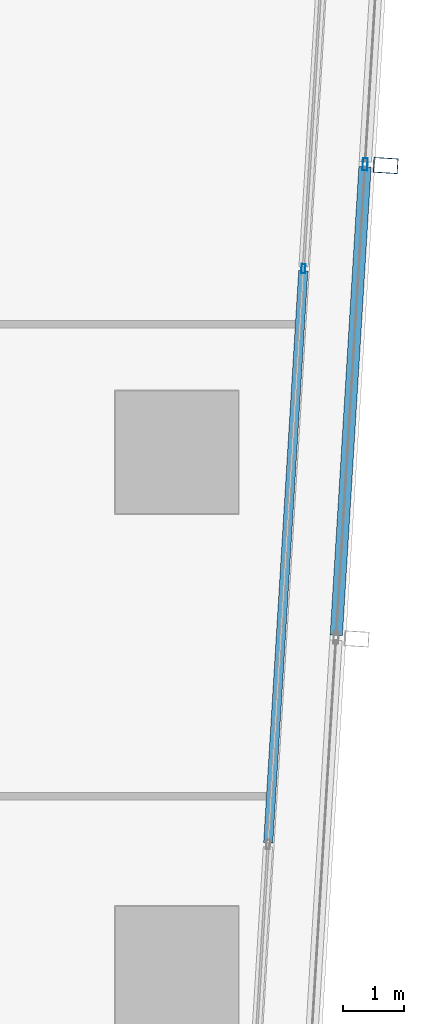
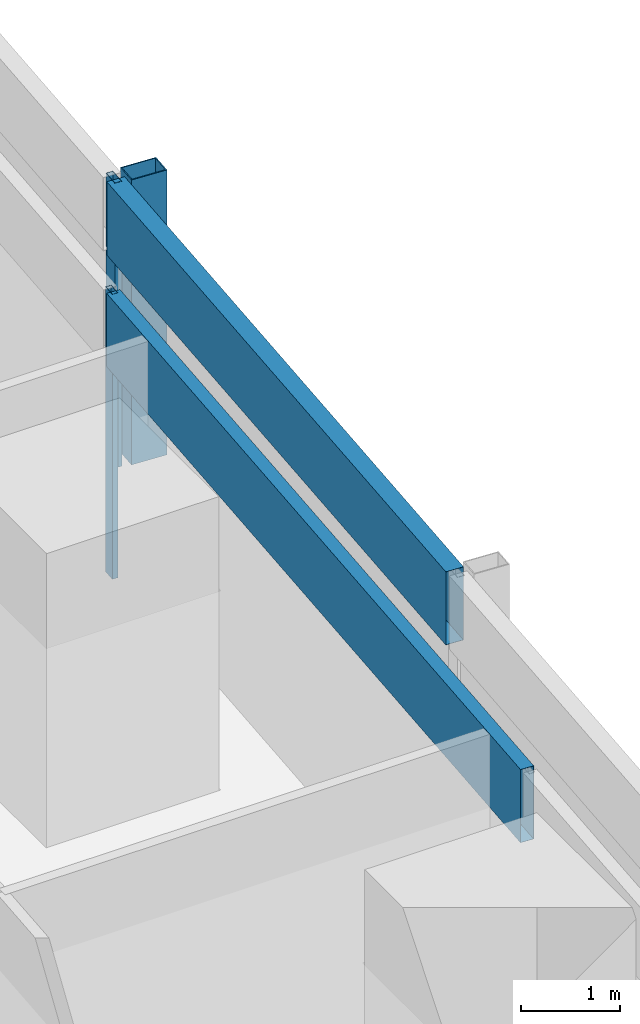
# One storey, part 24 of 39: 5 members, 2 elements without a shape of their own.
"""IFC4 building model written with IfcOpenShell, lengths in metres."""

from ifc_helpers import new_model, si_unit, direction, frame, origin, origin_2d, place, context, subcontext, project, spatial, hollow_rectangle, extrude, material, material_profile, profile_set, type_object, element, aggregate, save


model = new_model("IFC4")

# Units and contexts
model_context = context("Model", 3, precision=1e-05, world=origin(), true_north=direction((0.0, 1.0)))
body_context = subcontext(model_context, "Body", "Model", "MODEL_VIEW")
ifc_project = project(units=[si_unit("LENGTHUNIT", "METRE"), si_unit("AREAUNIT", "SQUARE_METRE"), si_unit("VOLUMEUNIT", "CUBIC_METRE"), si_unit("PLANEANGLEUNIT", "RADIAN"), si_unit("MASSUNIT", "GRAM", prefix="KILO")], contexts=[model_context])

# Site, building, storey
site_placement = place(None, origin())
site = spatial("IfcSite", under=ifc_project, at=site_placement, CompositionType="ELEMENT")
building_placement = place(site_placement, origin())
building = spatial("IfcBuilding", under=site, at=building_placement, Name="Rekha Terrace Tower", CompositionType="ELEMENT")
storey_placement = place(building_placement, frame((0.0, 0.0, 147.800048828125)))
storey = spatial("IfcBuildingStorey", under=building, at=storey_placement, Name="L37", CompositionType="ELEMENT", Elevation=147.800048828125)

# Curtain wall, member
ifc_material_1 = material(Name="Aluminium framing", Category="aluminium")
curtain_wall_type_1 = type_object("IfcCurtainWallType", Name="CW2 double skin outer glazing", PredefinedType="USERDEFINED", material=ifc_material_1)
curtain_wall_1_placement = place(storey_placement, origin())
curtain_wall_1 = element("IfcCurtainWall", 1, at=curtain_wall_1_placement, inside=storey, type_object=curtain_wall_type_1, Name="CW2 double skin outer glazing", ObjectType="DOUBLE SKIN OUTER GLAZING", PredefinedType="USERDEFINED")
ifc_material_2 = material(Name="Steel S355 with fluorocarbon finish", Category="steel")
ifc_material_profile_1 = material_profile(ifc_material_2, hollow_rectangle(XDim=0.25, YDim=0.39990234375, WallThickness=0.012451171875, at=origin_2d()), Name="RHS400x250x12.5")
ifc_profile_set_1 = profile_set([ifc_material_profile_1], Name="Steel S355 with fluorocarbon finish")
member_type_1 = type_object("IfcMemberType", Name="BL1 facade blade RHS 400 x 250", PredefinedType="USERDEFINED", material=ifc_profile_set_1)
member_1_placement = place(storey_placement, frame((70.601318359375, 38.27001953125, 0.0), z_axis=(0.0, 0.0, 1.0), x_axis=(0.061160031881, 0.998127973008, 0.0)))
member_1 = element("IfcMember", 2, at=member_1_placement, type_object=member_type_1, Name="Facade blade", ObjectType="FACADE BLADE", PredefinedType="USERDEFINED", context=body_context, shape_type="SweptSolid", body=[
    extrude(hollow_rectangle(XDim=0.25, YDim=0.39990234375, WallThickness=0.012451171875, at=origin_2d()), origin(), (0.0, 0.0, 1.0), 3.5),
])

# Curtain wall, members
curtain_wall_type_2 = type_object("IfcCurtainWallType", Name="CW1 double skin inner glazing", PredefinedType="USERDEFINED", material=ifc_material_1)
curtain_wall_2_placement = place(storey_placement, origin())
curtain_wall_2 = element("IfcCurtainWall", 3, at=curtain_wall_2_placement, inside=storey, type_object=curtain_wall_type_2, Name="CW1 double skin inner glazing", ObjectType="DOUBLE SKIN INNER GLAZING", PredefinedType="USERDEFINED")
ifc_material_3 = material(Name="Aluminium mullion section", Category="aluminium")
ifc_material_profile_2 = material_profile(ifc_material_3, hollow_rectangle(XDim=0.06494140625, YDim=0.14990234375, WallThickness=0.00390625, at=origin_2d()), Name="AL RHS 65x150")
ifc_profile_set_2 = profile_set([ifc_material_profile_2], Name="Aluminium mullion section")
member_type_2 = type_object("IfcMemberType", Name="CW1 mullion RHS 65 x 150", PredefinedType="MULLION", material=ifc_profile_set_2)
member_2_placement = place(storey_placement, frame((69.260986328125, 36.589599609375, 0.0), z_axis=(0.0, 0.0, 1.0), x_axis=(-0.998127987024, 0.061159803131, 0.0)))
member_2 = element("IfcMember", 4, at=member_2_placement, type_object=member_type_2, Name="CW1 mullion 3", PredefinedType="MULLION", context=body_context, shape_type="SweptSolid", body=[
    extrude(hollow_rectangle(XDim=0.06494140625, YDim=0.14990234375, WallThickness=0.00390625, at=origin_2d()), origin(), (0.0, 0.0, 1.0), 3.5),
])
ifc_material_4 = material(Name="Insulated aluminium spandrel box", Category="aluminium")
ifc_material_profile_3 = material_profile(ifc_material_4, hollow_rectangle(XDim=0.14990234375, YDim=0.89990234375, WallThickness=0.0029296875, at=origin_2d()), Name="AL SPANDREL BOX 150x900")
ifc_profile_set_3 = profile_set([ifc_material_profile_3], Name="Insulated aluminium spandrel box")
member_type_3 = type_object("IfcMemberType", Name="CW1 spandrel transom 150 x 900", PredefinedType="USERDEFINED", material=ifc_profile_set_3)
member_3_placement = place(storey_placement, frame((68.68798828125, 27.239990234375, 3.050048828125), z_axis=(0.06117493887, 0.998127059474, 0.0), x_axis=(-0.998127059474, 0.06117493887, 0.0)))
member_3 = element("IfcMember", 5, at=member_3_placement, type_object=member_type_3, Name="CW1 spandrel transom 2", ObjectType="TRANSOM", PredefinedType="USERDEFINED", context=body_context, shape_type="SweptSolid", body=[
    extrude(hollow_rectangle(XDim=0.14990234375, YDim=0.89990234375, WallThickness=0.0029296875, at=origin_2d()), origin(), (0.0, 0.0, 1.0), 9.334716796875),
])
aggregate(curtain_wall_2, [member_2, member_3])

# Member
ifc_material_profile_4 = material_profile(ifc_material_3, hollow_rectangle(XDim=0.080078125, YDim=0.199951171875, WallThickness=0.00390625, at=origin_2d()), Name="AL RHS 80x200")
ifc_profile_set_4 = profile_set([ifc_material_profile_4], Name="Aluminium mullion section")
member_type_4 = type_object("IfcMemberType", Name="CW2 mullion RHS 80 x 200", PredefinedType="MULLION", material=ifc_profile_set_4)
member_4_placement = place(storey_placement, frame((70.266845703125, 38.29052734375, 0.0), z_axis=(0.0, 0.0, 1.0), x_axis=(-0.998127987024, 0.061159803131, 0.0)))
member_4 = element("IfcMember", 6, at=member_4_placement, type_object=member_type_4, Name="CW2 mullion 4", PredefinedType="MULLION", context=body_context, shape_type="SweptSolid", body=[
    extrude(hollow_rectangle(XDim=0.080078125, YDim=0.199951171875, WallThickness=0.00390625, at=origin_2d()), origin(), (0.0, 0.0, 1.0), 3.5),
])

ifc_material_profile_5 = material_profile(ifc_material_4, hollow_rectangle(XDim=0.199951171875, YDim=0.89990234375, WallThickness=0.0029296875, at=origin_2d()), Name="AL SPANDREL BOX 200x900")
ifc_profile_set_5 = profile_set([ifc_material_profile_5], Name="Insulated aluminium spandrel box")
member_type_5 = type_object("IfcMemberType", Name="CW2 spandrel transom 200 x 900", PredefinedType="USERDEFINED", material=ifc_profile_set_5)
member_5_placement = place(storey_placement, frame((69.796630859375, 30.618408203125, 3.050048828125), z_axis=(0.061175629852, 0.998127017124, 0.0), x_axis=(-0.998127017124, 0.061175629852, 0.0)))
member_5 = element("IfcMember", 7, at=member_5_placement, type_object=member_type_5, Name="CW2 spandrel transom 3", ObjectType="TRANSOM", PredefinedType="USERDEFINED", context=body_context, shape_type="SweptSolid", body=[
    extrude(hollow_rectangle(XDim=0.199951171875, YDim=0.89990234375, WallThickness=0.0029296875, at=origin_2d()), origin(), (0.0, 0.0, 1.0), 7.646484375),
])

aggregate(curtain_wall_1, [member_4, member_5, member_1])

save(model, "model.ifc")
